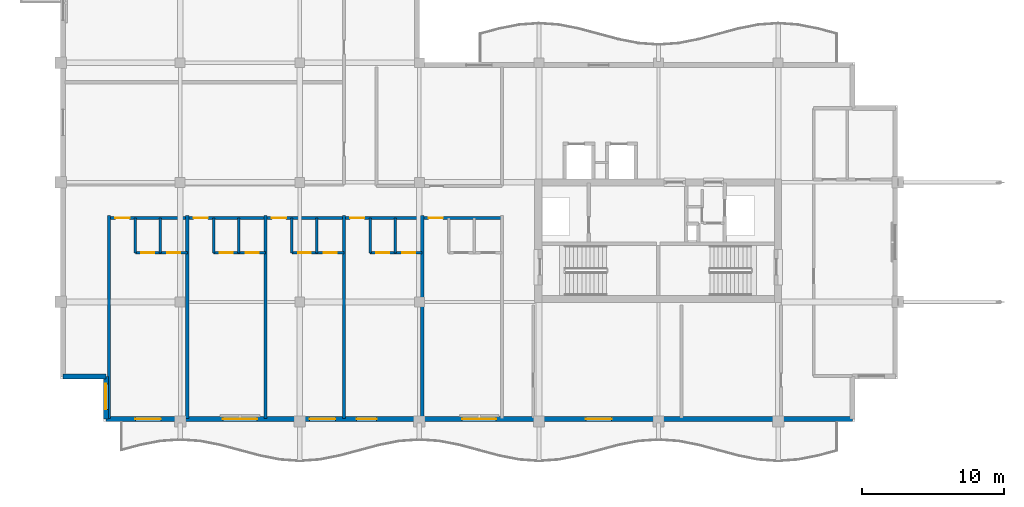
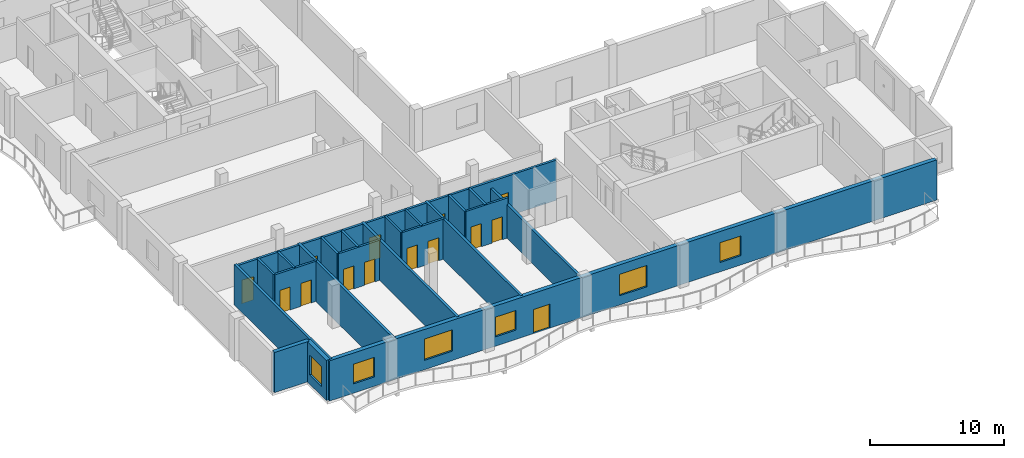
# One storey, part 7 of 17: 21 walls, 14 doors, 6 windows, 20 openings.
"""IFC4 building model written with IfcOpenShell, lengths in metres."""

import ifcopenshell
import ifcopenshell.guid

model = None  # the IFC model being written
_history = None  # IfcOwnerHistory: only IFC2X3 demands one
_inside = {}  # id of a spatial element -> (the spatial element, [elements in it])
_under = {}  # id of a project, library or spatial element -> (it, [spatial elements below it])
_declared = {}  # id of a project -> (the project, [libraries it declares])
_typed = {}  # id of a type object -> (the type object, [elements of that type])
_made_of = {}  # id of a material, layer set ... -> (it, [elements and type objects made of it])


def new_model(schema):
    """Start an empty IFC model of exactly this schema.

    Asked for "IFC4X3", IfcOpenShell would pick the latest addendum, in which some entities
    have other attributes; the version numbers below select the first issue.
    IFC2X3 requires an IfcOwnerHistory on every rooted entity: one is made here for all.
    """
    global model, _history
    if schema == "IFC4X3":
        model = ifcopenshell.file(schema_version=(4, 3, 0, 0))
    else:
        model = ifcopenshell.file(schema=schema)
    _inside.clear()
    _under.clear()
    _declared.clear()
    _typed.clear()
    _made_of.clear()
    _history = None
    if model.schema == "IFC2X3":
        org = make("IfcOrganization", Name="unknown")
        user = make(
            "IfcPersonAndOrganization",
            ThePerson=make("IfcPerson", FamilyName="unknown"),
            TheOrganization=org,
        )
        app = make(
            "IfcApplication",
            ApplicationDeveloper=org,
            Version="unknown",
            ApplicationFullName="unknown",
            ApplicationIdentifier="unknown",
        )
        _history = make(
            "IfcOwnerHistory",
            OwningUser=user,
            OwningApplication=app,
            ChangeAction="ADDED",
            CreationDate=0,
        )
    return model


def make(cls, **values):
    """One entity of the class cls with the attributes given. An attribute that is None is left unset."""
    return model.create_entity(
        cls, **{name: value for name, value in values.items() if value is not None}
    )


def rooted(cls, **values):
    """An entity with a GlobalId (a new one), such as an element, a storey or a relation."""
    return make(cls, GlobalId=ifcopenshell.guid.new(), OwnerHistory=_history, **values)


def si_unit(unit_type, name, prefix=None):
    """IfcSIUnit, for example si_unit("LENGTHUNIT", "METRE", prefix="MILLI")."""
    return make("IfcSIUnit", UnitType=unit_type, Prefix=prefix, Name=name)


def assignment(units):
    """IfcUnitAssignment: the units of a project."""
    return None if units is None else make("IfcUnitAssignment", Units=units)


def point(xyz):
    """IfcCartesianPoint."""
    return None if xyz is None else make("IfcCartesianPoint", Coordinates=xyz)


def direction(xyz):
    """IfcDirection."""
    return None if xyz is None else make("IfcDirection", DirectionRatios=xyz)


def frame(location, z_axis=None, x_axis=None):
    """IfcAxis2Placement3D, a coordinate frame: its origin and axes. An axis left out is left unset."""
    return make(
        "IfcAxis2Placement3D",
        Location=point(location),
        Axis=direction(z_axis),
        RefDirection=direction(x_axis),
    )


def frame_2d(location, x_axis=None):
    """IfcAxis2Placement2D, a coordinate frame in the plane: its origin and x axis."""
    return make(
        "IfcAxis2Placement2D", Location=point(location), RefDirection=direction(x_axis)
    )


def origin():
    """The frame at (0, 0, 0) with its axes left unset."""
    return frame((0.0, 0.0, 0.0))


def place(relative_to, where):
    """IfcLocalPlacement: puts the frame where relative to a parent placement (None: the world)."""
    return make(
        "IfcLocalPlacement", PlacementRelTo=relative_to, RelativePlacement=where
    )


def context(
    kind, dimensions, precision=None, world=None, true_north=None, identifier=None
):
    """IfcGeometricRepresentationContext, for example the 3D "Model" context."""
    return make(
        "IfcGeometricRepresentationContext",
        ContextIdentifier=identifier,
        ContextType=kind,
        CoordinateSpaceDimension=dimensions,
        Precision=precision,
        WorldCoordinateSystem=world,
        TrueNorth=true_north,
    )


def subcontext(parent, identifier, kind, view, scale=None):
    """IfcGeometricRepresentationSubContext, for example "Body" below "Model"."""
    return make(
        "IfcGeometricRepresentationSubContext",
        ContextIdentifier=identifier,
        ContextType=kind,
        ParentContext=parent,
        TargetScale=scale,
        TargetView=view,
    )


def project(units=None, contexts=None):
    """IfcProject with its units and contexts."""
    return rooted(
        "IfcProject",
        Name="project",
        RepresentationContexts=contexts,
        UnitsInContext=assignment(units),
    )


def spatial(cls, under=None, at=None, **own):
    """A site, building, storey or space (cls), placed at a placement, below another one or the project."""
    s = rooted(cls, ObjectPlacement=at, **own)
    if under is not None:
        _under.setdefault(under.id(), (under, []))[1].append(s)
    return s


def profile(cls, at=None, kind="AREA", **sizes):
    """A parametric profile (cls). Its sizes go by their IFC names, for example OverallWidth=200.0."""
    return make(cls, ProfileType=kind, Position=at, **sizes)


def rectangle(**sizes):
    """IfcRectangleProfileDef."""
    return profile("IfcRectangleProfileDef", **sizes)


def extrude(swept, where, along, depth):
    """IfcExtrudedAreaSolid: the profile swept, set in the frame where, extruded along a direction by depth."""
    return make(
        "IfcExtrudedAreaSolid",
        SweptArea=swept,
        Position=where,
        ExtrudedDirection=direction(along),
        Depth=depth,
    )


def shape(context_of_items, identifier, shape_type, items):
    """IfcShapeRepresentation: the items that make up one representation, for example the "Body"."""
    return make(
        "IfcShapeRepresentation",
        ContextOfItems=context_of_items,
        RepresentationIdentifier=identifier,
        RepresentationType=shape_type,
        Items=items,
    )


def material(Name=None, Category=None):
    """IfcMaterial."""
    return make("IfcMaterial", Name=Name, Category=Category)


def layer(
    of_material, thickness, ventilated=None, Name=None, Category=None, Priority=None
):
    """IfcMaterialLayer: one layer of a wall or slab, of a material (None: an air gap)."""
    return make(
        "IfcMaterialLayer",
        Material=of_material,
        LayerThickness=thickness,
        IsVentilated=ventilated,
        Name=Name,
        Category=Category,
        Priority=Priority,
    )


def layer_set(layers, Name=None):
    """IfcMaterialLayerSet."""
    return make("IfcMaterialLayerSet", MaterialLayers=layers, LayerSetName=Name)


def made_of(thing, what):
    """Note that an element or type object is made of a material, layer set ...; save() writes the relation."""
    if what is not None:
        _made_of.setdefault(what.id(), (what, []))[1].append(thing)
    return thing


def type_object(cls, material=None, **own):
    """A type object (cls), such as IfcWallType, which elements share."""
    return made_of(rooted(cls, **own), material)


def element(
    cls,
    number,
    at=None,
    inside=None,
    cuts=None,
    type_object=None,
    material=None,
    context=None,
    identifier="Body",
    shape_type=None,
    held_by="IfcProductDefinitionShape",
    body=None,
    shapes=None,
    **own,
):
    """One element of the class cls, such as IfcWall. Its Tag is "e" and its number.

    at: its placement. inside: the storey or other place that contains it. cuts: it is an
    opening in that element (IfcRelVoidsElement). A single representation is given by context,
    identifier, shape_type and body (its items); several are given by shapes. held_by: the class
    of the entity that holds the representations. save() writes the other relations.
    """
    e = rooted(cls, Tag="e%d" % number, ObjectPlacement=at, **own)
    if body is not None:
        shapes = [shape(context, identifier, shape_type, body)]
    if shapes is not None:
        e.Representation = make(held_by, Representations=shapes)
    if inside is not None:
        _inside.setdefault(inside.id(), (inside, []))[1].append(e)
    if cuts is not None:
        rooted(
            "IfcRelVoidsElement", RelatingBuildingElement=cuts, RelatedOpeningElement=e
        )
    if type_object is not None:
        _typed.setdefault(type_object.id(), (type_object, []))[1].append(e)
    return made_of(e, material)


def fill(opening, filler):
    """IfcRelFillsElement: the door or window that sits in an opening."""
    return rooted(
        "IfcRelFillsElement",
        RelatingOpeningElement=opening,
        RelatedBuildingElement=filler,
    )


def aggregate(whole, parts):
    """IfcRelAggregates: a whole, such as a stair, and the parts it consists of."""
    return rooted("IfcRelAggregates", RelatingObject=whole, RelatedObjects=parts)


def save(model, path):
    """Write the relations noted so far, then the file.

    IfcRelAggregates (storeys below a building ...), IfcRelContainedInSpatialStructure (elements
    in a storey), IfcRelDefinesByType, IfcRelAssociatesMaterial and IfcRelDeclares: one each for
    every whole, place, type object, material and project.
    """
    for whole, parts in _under.values():
        aggregate(whole, parts)
    for where, things in _inside.values():
        rooted(
            "IfcRelContainedInSpatialStructure",
            RelatedElements=things,
            RelatingStructure=where,
        )
    for kind, things in _typed.values():
        rooted("IfcRelDefinesByType", RelatedObjects=things, RelatingType=kind)
    for what, things in _made_of.values():
        rooted("IfcRelAssociatesMaterial", RelatedObjects=things, RelatingMaterial=what)
    for by, libraries in _declared.values():
        rooted("IfcRelDeclares", RelatingContext=by, RelatedDefinitions=libraries)
    model.write(path)


model = new_model("IFC4")

# Units and contexts
model_context = context("Model", 3, precision=1e-05, world=origin(), true_north=direction((0.0, 1.0)))
body_context = subcontext(model_context, "Body", "Model", "MODEL_VIEW")
ifc_project = project(units=[si_unit("LENGTHUNIT", "METRE"), si_unit("AREAUNIT", "SQUARE_METRE"), si_unit("VOLUMEUNIT", "CUBIC_METRE"), si_unit("PLANEANGLEUNIT", "RADIAN"), si_unit("MASSUNIT", "GRAM", prefix="KILO")], contexts=[model_context])

# Site, building, storey
site_placement = place(None, origin())
site = spatial("IfcSite", under=ifc_project, at=site_placement, CompositionType="ELEMENT")
building_placement = place(site_placement, origin())
building = spatial("IfcBuilding", under=site, at=building_placement, Name="Koriwani Terraces Tower", CompositionType="ELEMENT")
storey_placement = place(building_placement, frame((0.0, 0.0, 347.60009765625)))
storey = spatial("IfcBuildingStorey", under=building, at=storey_placement, Name="L86", CompositionType="ELEMENT", Elevation=347.60009765625)

# Wall, openings, doors
ifc_material_1 = material(Name="Autoclaved Cellular Concrete Blockwork", Category="masonry")
ifc_layer_1 = layer(ifc_material_1, 0.199951171875, Name="Autoclaved Cellular Concrete Blockwork")
ifc_layer_set_1 = layer_set([ifc_layer_1], Name="Autoclaved Cellular Concrete Blockwork")
wall_type_1 = type_object("IfcWallType", Name="WALL_CORRIDOR_200", PredefinedType="PARTITIONING", material=ifc_layer_set_1)
wall_1_placement = place(storey_placement, frame((11.800048828125, 22.699951171875, 0.0), z_axis=(0.0, 0.0, 1.0), x_axis=(1.0, 0.0, 0.0)))
wall_1 = element("IfcWall", 1, at=wall_1_placement, inside=storey, type_object=wall_type_1, Name="L86 Interior Wall WRCOR-L86-SW-0", PredefinedType="PARTITIONING", context=body_context, shape_type="SweptSolid", body=[
    extrude(rectangle(XDim=27.599853515625, YDim=0.199951171875, at=frame_2d((13.7998046875, 0.0))), origin(), (0.0, 0.0, 1.0), 3.669921875),
])
opening_1_placement = place(wall_1_placement, frame((0.445068359375, 0.0, 0.0)))
opening_1 = element("IfcOpeningElement", 2, at=opening_1_placement, cuts=wall_1, Name="Opening D-05", PredefinedType="OPENING", context=body_context, shape_type="SweptSolid", body=[
    extrude(rectangle(XDim=1.0, YDim=2.14990234375, at=frame_2d((0.5, 1.074951171875))), frame((0.0, 0.10986328125, 0.0), z_axis=(0.0, -1.0, 0.0), x_axis=(1.0, 0.0, 0.0)), (0.0, 0.0, 1.0), 0.219970703125),
])
opening_2_placement = place(wall_1_placement, frame((5.945068359375, 0.0, 0.0)))
opening_2 = element("IfcOpeningElement", 3, at=opening_2_placement, cuts=wall_1, Name="Opening D-05", PredefinedType="OPENING", context=body_context, shape_type="SweptSolid", body=[
    extrude(rectangle(XDim=1.0, YDim=2.14990234375, at=frame_2d((0.5, 1.074951171875))), frame((0.0, 0.10986328125, 0.0), z_axis=(0.0, -1.0, 0.0), x_axis=(1.0, 0.0, 0.0)), (0.0, 0.0, 1.0), 0.219970703125),
])
opening_3_placement = place(wall_1_placement, frame((11.445068359375, 0.0, 0.0)))
opening_3 = element("IfcOpeningElement", 4, at=opening_3_placement, cuts=wall_1, Name="Opening D-05", PredefinedType="OPENING", context=body_context, shape_type="SweptSolid", body=[
    extrude(rectangle(XDim=1.0, YDim=2.14990234375, at=frame_2d((0.5, 1.074951171875))), frame((0.0, 0.10986328125, 0.0), z_axis=(0.0, -1.0, 0.0), x_axis=(1.0, 0.0, 0.0)), (0.0, 0.0, 1.0), 0.219970703125),
])
opening_4_placement = place(wall_1_placement, frame((16.945068359375, 0.0, 0.0)))
opening_4 = element("IfcOpeningElement", 5, at=opening_4_placement, cuts=wall_1, Name="Opening D-05", PredefinedType="OPENING", context=body_context, shape_type="SweptSolid", body=[
    extrude(rectangle(XDim=1.0, YDim=2.14990234375, at=frame_2d((0.5, 1.074951171875))), frame((0.0, 0.10986328125, 0.0), z_axis=(0.0, -1.0, 0.0), x_axis=(1.0, 0.0, 0.0)), (0.0, 0.0, 1.0), 0.219970703125),
])
opening_5_placement = place(wall_1_placement, frame((22.445068359375, 0.0, 0.0)))
opening_5 = element("IfcOpeningElement", 6, at=opening_5_placement, cuts=wall_1, Name="Opening D-05", PredefinedType="OPENING", context=body_context, shape_type="SweptSolid", body=[
    extrude(rectangle(XDim=1.0, YDim=2.14990234375, at=frame_2d((0.5, 1.074951171875))), frame((0.0, 0.10986328125, 0.0), z_axis=(0.0, -1.0, 0.0), x_axis=(1.0, 0.0, 0.0)), (0.0, 0.0, 1.0), 0.219970703125),
])
ifc_material_2 = material(Name="Architectural Oak Fire Door", Category="wood")
door_type_1 = type_object("IfcDoorType", Name="DOOR_SUITE_ENTRY_1000X2150", OperationType="NOTDEFINED", PredefinedType="DOOR", material=ifc_material_2)
door_1_placement = place(opening_1_placement, origin())
door_1 = element("IfcDoor", 7, at=door_1_placement, inside=storey, type_object=door_type_1, Name="Apartment 86SW1 Entrance Door", OperationType="SINGLE_SWING_LEFT", OverallHeight=2.14990234375, OverallWidth=1.0, PredefinedType="DOOR", context=body_context, shape_type="SweptSolid", body=[
    extrude(rectangle(XDim=1.0, YDim=2.14990234375, at=frame_2d((0.5, 1.074951171875))), frame((0.0, 0.02490234375, 0.0), z_axis=(0.0, -1.0, 0.0), x_axis=(1.0, 0.0, 0.0)), (0.0, 0.0, 1.0), 0.050048828125),
])
fill(opening_1, door_1)
door_2_placement = place(opening_2_placement, origin())
door_2 = element("IfcDoor", 8, at=door_2_placement, inside=storey, type_object=door_type_1, Name="Apartment 86SW2 Entrance Door", OperationType="SINGLE_SWING_RIGHT", OverallHeight=2.14990234375, OverallWidth=1.0, PredefinedType="DOOR", context=body_context, shape_type="SweptSolid", body=[
    extrude(rectangle(XDim=1.0, YDim=2.14990234375, at=frame_2d((0.5, 1.074951171875))), frame((0.0, 0.02490234375, 0.0), z_axis=(0.0, -1.0, 0.0), x_axis=(1.0, 0.0, 0.0)), (0.0, 0.0, 1.0), 0.050048828125),
])
fill(opening_2, door_2)
door_3_placement = place(opening_3_placement, origin())
door_3 = element("IfcDoor", 9, at=door_3_placement, inside=storey, type_object=door_type_1, Name="Apartment 86SW3 Entrance Door", OperationType="SINGLE_SWING_LEFT", OverallHeight=2.14990234375, OverallWidth=1.0, PredefinedType="DOOR", context=body_context, shape_type="SweptSolid", body=[
    extrude(rectangle(XDim=1.0, YDim=2.14990234375, at=frame_2d((0.5, 1.074951171875))), frame((0.0, 0.02490234375, 0.0), z_axis=(0.0, -1.0, 0.0), x_axis=(1.0, 0.0, 0.0)), (0.0, 0.0, 1.0), 0.050048828125),
])
fill(opening_3, door_3)
door_4_placement = place(opening_4_placement, origin())
door_4 = element("IfcDoor", 10, at=door_4_placement, inside=storey, type_object=door_type_1, Name="Apartment 86SW4 Entrance Door", OperationType="SINGLE_SWING_RIGHT", OverallHeight=2.14990234375, OverallWidth=1.0, PredefinedType="DOOR", context=body_context, shape_type="SweptSolid", body=[
    extrude(rectangle(XDim=1.0, YDim=2.14990234375, at=frame_2d((0.5, 1.074951171875))), frame((0.0, 0.02490234375, 0.0), z_axis=(0.0, -1.0, 0.0), x_axis=(1.0, 0.0, 0.0)), (0.0, 0.0, 1.0), 0.050048828125),
])
fill(opening_4, door_4)
door_5_placement = place(opening_5_placement, origin())
door_5 = element("IfcDoor", 11, at=door_5_placement, inside=storey, type_object=door_type_1, Name="Apartment 86SW5 Entrance Door", OperationType="SINGLE_SWING_LEFT", OverallHeight=2.14990234375, OverallWidth=1.0, PredefinedType="DOOR", context=body_context, shape_type="SweptSolid", body=[
    extrude(rectangle(XDim=1.0, YDim=2.14990234375, at=frame_2d((0.5, 1.074951171875))), frame((0.0, 0.02490234375, 0.0), z_axis=(0.0, -1.0, 0.0), x_axis=(1.0, 0.0, 0.0)), (0.0, 0.0, 1.0), 0.050048828125),
])
fill(opening_5, door_5)

# Walls
ifc_layer_2 = layer(ifc_material_1, 0.219970703125, Name="Autoclaved Cellular Concrete Blockwork")
ifc_layer_set_2 = layer_set([ifc_layer_2], Name="Autoclaved Cellular Concrete Blockwork")
wall_type_2 = type_object("IfcWallType", Name="WALL_DEMISING_220", PredefinedType="PARTITIONING", material=ifc_layer_set_2)
for number, where, z_axis, x_axis, name in (
    (12, (11.800048828125, 8.60009765625, 0.0), (0.0, 0.0, 1.0), (0.0, 1.0, 0.0), "L86 Interior Wall WRDEM-L86-SW-0"),
    (13, (17.300048828125, 8.60009765625, 0.0), (0.0, 0.0, 1.0), (0.0, 1.0, 0.0), "L86 Interior Wall WRDEM-L86-SW-1"),
    (14, (22.800048828125, 8.60009765625, 0.0), (0.0, 0.0, 1.0), (0.0, 1.0, 0.0), "L86 Interior Wall WRDEM-L86-SW-2"),
    (15, (28.300048828125, 8.60009765625, 0.0), (0.0, 0.0, 1.0), (0.0, 1.0, 0.0), "L86 Interior Wall WRDEM-L86-SW-3"),
):
    element("IfcWall", number, at=place(storey_placement, frame(where, z_axis=z_axis, x_axis=x_axis)), inside=storey, type_object=wall_type_2, Name=name, PredefinedType="PARTITIONING", context=body_context, shape_type="SweptSolid", body=[
        extrude(rectangle(XDim=14.27978515625, YDim=0.219970703125, at=frame_2d((7.139892578125, 0.0))), origin(), (0.0, 0.0, 1.0), 3.669921875),
    ])
wall_2_placement = place(storey_placement, frame((33.800048828125, 8.60009765625, 0.0), z_axis=(0.0, 0.0, 1.0), x_axis=(0.0, 1.0, 0.0)))
element("IfcWall", 16, at=wall_2_placement, inside=storey, type_object=wall_type_2, Name="L86 Interior Wall WRDEM-L86-SW-4", PredefinedType="PARTITIONING", context=body_context, shape_type="SweptSolid", body=[
    extrude(rectangle(XDim=14.27978515625, YDim=0.219970703125, at=frame_2d((7.139892578125, 0.0))), origin(), (0.0, 0.0, 1.0), 3.058837890625),
])

# Wall, opening, window
ifc_material_3 = material(Name="Concrete C50/60", Category="concrete")
ifc_layer_3 = layer(ifc_material_3, 0.35009765625, Name="Concrete C50/60")
ifc_layer_set_3 = layer_set([ifc_layer_3], Name="Concrete C50/60")
wall_type_3 = type_object("IfcWallType", Name="WALL_EXT_BRUTALIST_350", PredefinedType="STANDARD", material=ifc_layer_set_3)
wall_3_placement = place(storey_placement, frame((11.574951171875, 8.574951171875, 0.0), z_axis=(0.0, 0.0, 1.0), x_axis=(0.0, 1.0, 0.0)))
wall_3 = element("IfcWall", 17, at=wall_3_placement, inside=storey, type_object=wall_type_3, Name="L86 Fair-Faced Brutalist Exterior Wall (N0)", PredefinedType="STANDARD", context=body_context, shape_type="SweptSolid", body=[
    extrude(rectangle(XDim=3.0, YDim=0.35009765625, at=frame_2d((1.5, 0.0))), origin(), (0.0, 0.0, 1.0), 3.669921875),
])
opening_6_placement = place(wall_3_placement, frame((0.677490234375, 0.0, 0.85009765625)))
opening_6 = element("IfcOpeningElement", 18, at=opening_6_placement, cuts=wall_3, Name="Opening W-04", PredefinedType="OPENING", context=body_context, shape_type="SweptSolid", body=[
    extrude(rectangle(XDim=1.800048828125, YDim=1.800048828125, at=frame_2d((0.89990234375, 0.89990234375))), frame((0.0, 0.18505859375, 0.0), z_axis=(0.0, -1.0, 0.0), x_axis=(1.0, 0.0, 0.0)), (0.0, 0.0, 1.0), 0.3701171875),
])
ifc_material_4 = material(Name="Tempered Laminated Low-E Glass", Category="glass")
window_type_1 = type_object("IfcWindowType", Name="WIN_RES_BED_1800X1800", PartitioningType="DOUBLE_PANEL_VERTICAL", PredefinedType="WINDOW", material=ifc_material_4)
window_1_placement = place(opening_6_placement, origin())
window_1 = element("IfcWindow", 19, at=window_1_placement, inside=storey, type_object=window_type_1, Name="L86 Exterior Window (N0-R33)", OverallHeight=1.800048828125, OverallWidth=1.800048828125, PartitioningType="SINGLE_PANEL", PredefinedType="WINDOW", context=body_context, shape_type="SweptSolid", body=[
    extrude(rectangle(XDim=1.800048828125, YDim=1.800048828125, at=frame_2d((0.89990234375, 0.89990234375))), frame((0.0, 0.030029296875, 0.0), z_axis=(0.0, -1.0, 0.0), x_axis=(1.0, 0.0, 0.0)), (0.0, 0.0, 1.0), 0.06005859375),
])
fill(opening_6, window_1)

# Wall
wall_4_placement = place(storey_placement, frame((11.574951171875, 11.574951171875, 0.0), z_axis=(0.0, 0.0, 1.0), x_axis=(-1.0, 0.0, 0.0)))
element("IfcWall", 20, at=wall_4_placement, inside=storey, type_object=wall_type_3, Name="L86 Fair-Faced Brutalist Exterior Wall (N1)", PredefinedType="STANDARD", context=body_context, shape_type="SweptSolid", body=[
    extrude(rectangle(XDim=3.0, YDim=0.35009765625, at=frame_2d((1.5, 0.0))), origin(), (0.0, 0.0, 1.0), 3.669921875),
])

# Wall, openings, door, windows
wall_5_placement = place(storey_placement, frame((64.02490234375, 8.574951171875, 0.0), z_axis=(0.0, 0.0, 1.0), x_axis=(-1.0, 0.0, 0.0)))
wall_5 = element("IfcWall", 21, at=wall_5_placement, inside=storey, type_object=wall_type_3, Name="L86 Fair-Faced Brutalist Exterior Wall (S)", PredefinedType="STANDARD", context=body_context, shape_type="SweptSolid", body=[
    extrude(rectangle(XDim=52.449951171875, YDim=0.35009765625, at=frame_2d((26.22509765625, 0.0))), origin(), (0.0, 0.0, 1.0), 3.669921875),
])
opening_7_placement = place(wall_5_placement, frame((33.425048828125, 0.0, 0.0)))
opening_7 = element("IfcOpeningElement", 22, at=opening_7_placement, cuts=wall_5, Name="Opening D-09", PredefinedType="OPENING", context=body_context, shape_type="SweptSolid", body=[
    extrude(rectangle(XDim=1.39990234375, YDim=2.199951171875, at=frame_2d((0.699951171875, 1.10009765625))), frame((0.0, 0.18505859375, 0.0), z_axis=(0.0, -1.0, 0.0), x_axis=(1.0, 0.0, 0.0)), (0.0, 0.0, 1.0), 0.3701171875),
])
opening_8_placement = place(wall_5_placement, frame((41.824951171875, 0.0, 0.85009765625)))
opening_8 = element("IfcOpeningElement", 23, at=opening_8_placement, cuts=wall_5, Name="Opening W-03", PredefinedType="OPENING", context=body_context, shape_type="SweptSolid", body=[
    extrude(rectangle(XDim=2.39990234375, YDim=1.949951171875, at=frame_2d((1.199951171875, 0.97509765625))), frame((0.0, 0.18505859375, 0.0), z_axis=(0.0, -1.0, 0.0), x_axis=(1.0, 0.0, 0.0)), (0.0, 0.0, 1.0), 0.3701171875),
])
opening_9_placement = place(wall_5_placement, frame((25.02490234375, 0.0, 0.85009765625)))
opening_9 = element("IfcOpeningElement", 24, at=opening_9_placement, cuts=wall_5, Name="Opening W-03", PredefinedType="OPENING", context=body_context, shape_type="SweptSolid", body=[
    extrude(rectangle(XDim=2.39990234375, YDim=1.949951171875, at=frame_2d((1.199951171875, 0.97509765625))), frame((0.0, 0.18505859375, 0.0), z_axis=(0.0, -1.0, 0.0), x_axis=(1.0, 0.0, 0.0)), (0.0, 0.0, 1.0), 0.3701171875),
])
opening_10_placement = place(wall_5_placement, frame((16.925048828125, 0.0, 0.85009765625)))
opening_10 = element("IfcOpeningElement", 25, at=opening_10_placement, cuts=wall_5, Name="Opening W-04", PredefinedType="OPENING", context=body_context, shape_type="SweptSolid", body=[
    extrude(rectangle(XDim=1.800048828125, YDim=1.800048828125, at=frame_2d((0.89990234375, 0.89990234375))), frame((0.0, 0.18505859375, 0.0), z_axis=(0.0, -1.0, 0.0), x_axis=(1.0, 0.0, 0.0)), (0.0, 0.0, 1.0), 0.3701171875),
])
opening_11_placement = place(wall_5_placement, frame((48.574951171875, 0.0, 0.85009765625)))
opening_11 = element("IfcOpeningElement", 26, at=opening_11_placement, cuts=wall_5, Name="Opening W-04", PredefinedType="OPENING", context=body_context, shape_type="SweptSolid", body=[
    extrude(rectangle(XDim=1.800048828125, YDim=1.800048828125, at=frame_2d((0.89990234375, 0.89990234375))), frame((0.0, 0.18505859375, 0.0), z_axis=(0.0, -1.0, 0.0), x_axis=(1.0, 0.0, 0.0)), (0.0, 0.0, 1.0), 0.3701171875),
])
opening_12_placement = place(wall_5_placement, frame((36.324951171875, 0.0, 0.85009765625)))
opening_12 = element("IfcOpeningElement", 27, at=opening_12_placement, cuts=wall_5, Name="Opening W-04", PredefinedType="OPENING", context=body_context, shape_type="SweptSolid", body=[
    extrude(rectangle(XDim=1.800048828125, YDim=1.800048828125, at=frame_2d((0.89990234375, 0.89990234375))), frame((0.0, 0.18505859375, 0.0), z_axis=(0.0, -1.0, 0.0), x_axis=(1.0, 0.0, 0.0)), (0.0, 0.0, 1.0), 0.3701171875),
])
ifc_material_5 = material(Name="Anodised Bronze Aluminium", Category="aluminium")
door_type_2 = type_object("IfcDoorType", Name="DOOR_BALCONY_GLAZED_1400X2200", OperationType="NOTDEFINED", PredefinedType="DOOR", material=ifc_material_5)
door_6_placement = place(opening_7_placement, origin())
door_6 = element("IfcDoor", 28, at=door_6_placement, inside=storey, type_object=door_type_2, Name="L86 South Balcony Glazed Door", OperationType="SINGLE_SWING_LEFT", OverallHeight=2.199951171875, OverallWidth=1.39990234375, PredefinedType="DOOR", context=body_context, shape_type="SweptSolid", body=[
    extrude(rectangle(XDim=1.39990234375, YDim=2.199951171875, at=frame_2d((0.699951171875, 1.10009765625))), frame((0.0, 0.02490234375, 0.0), z_axis=(0.0, -1.0, 0.0), x_axis=(1.0, 0.0, 0.0)), (0.0, 0.0, 1.0), 0.050048828125),
])
fill(opening_7, door_6)
window_2_placement = place(opening_10_placement, origin())
window_2 = element("IfcWindow", 29, at=window_2_placement, inside=storey, type_object=window_type_1, Name="L86 Exterior Window (S-12)", OverallHeight=1.800048828125, OverallWidth=1.800048828125, PartitioningType="SINGLE_PANEL", PredefinedType="WINDOW", context=body_context, shape_type="SweptSolid", body=[
    extrude(rectangle(XDim=1.800048828125, YDim=1.800048828125, at=frame_2d((0.89990234375, 0.89990234375))), frame((0.0, 0.030029296875, 0.0), z_axis=(0.0, -1.0, 0.0), x_axis=(1.0, 0.0, 0.0)), (0.0, 0.0, 1.0), 0.06005859375),
])
fill(opening_10, window_2)
window_3_placement = place(opening_11_placement, origin())
window_3 = element("IfcWindow", 30, at=window_3_placement, inside=storey, type_object=window_type_1, Name="L86 Exterior Window (S-R33)", OverallHeight=1.800048828125, OverallWidth=1.800048828125, PartitioningType="SINGLE_PANEL", PredefinedType="WINDOW", context=body_context, shape_type="SweptSolid", body=[
    extrude(rectangle(XDim=1.800048828125, YDim=1.800048828125, at=frame_2d((0.89990234375, 0.89990234375))), frame((0.0, 0.030029296875, 0.0), z_axis=(0.0, -1.0, 0.0), x_axis=(1.0, 0.0, 0.0)), (0.0, 0.0, 1.0), 0.06005859375),
])
fill(opening_11, window_3)
window_4_placement = place(opening_12_placement, origin())
window_4 = element("IfcWindow", 31, at=window_4_placement, inside=storey, type_object=window_type_1, Name="L86 Exterior Window (S-R39)", OverallHeight=1.800048828125, OverallWidth=1.800048828125, PartitioningType="SINGLE_PANEL", PredefinedType="WINDOW", context=body_context, shape_type="SweptSolid", body=[
    extrude(rectangle(XDim=1.800048828125, YDim=1.800048828125, at=frame_2d((0.89990234375, 0.89990234375))), frame((0.0, 0.030029296875, 0.0), z_axis=(0.0, -1.0, 0.0), x_axis=(1.0, 0.0, 0.0)), (0.0, 0.0, 1.0), 0.06005859375),
])
fill(opening_12, window_4)
window_type_2 = type_object("IfcWindowType", Name="WIN_RES_LIVING_2400X1950", PartitioningType="DOUBLE_PANEL_VERTICAL", PredefinedType="WINDOW", material=ifc_material_4)
window_5_placement = place(opening_8_placement, origin())
window_5 = element("IfcWindow", 32, at=window_5_placement, inside=storey, type_object=window_type_2, Name="L86 Exterior Window (S-3)", OverallHeight=1.949951171875, OverallWidth=2.39990234375, PartitioningType="SINGLE_PANEL", PredefinedType="WINDOW", context=body_context, shape_type="SweptSolid", body=[
    extrude(rectangle(XDim=2.39990234375, YDim=1.949951171875, at=frame_2d((1.199951171875, 0.97509765625))), frame((0.0, 0.030029296875, 0.0), z_axis=(0.0, -1.0, 0.0), x_axis=(1.0, 0.0, 0.0)), (0.0, 0.0, 1.0), 0.06005859375),
])
fill(opening_8, window_5)
window_6_placement = place(opening_9_placement, origin())
window_6 = element("IfcWindow", 33, at=window_6_placement, inside=storey, type_object=window_type_2, Name="L86 Exterior Window (S-9)", OverallHeight=1.949951171875, OverallWidth=2.39990234375, PartitioningType="SINGLE_PANEL", PredefinedType="WINDOW", context=body_context, shape_type="SweptSolid", body=[
    extrude(rectangle(XDim=2.39990234375, YDim=1.949951171875, at=frame_2d((1.199951171875, 0.97509765625))), frame((0.0, 0.030029296875, 0.0), z_axis=(0.0, -1.0, 0.0), x_axis=(1.0, 0.0, 0.0)), (0.0, 0.0, 1.0), 0.06005859375),
])
fill(opening_9, window_6)

# Wall, openings, doors
ifc_material_6 = material(Name="Fire-Rated Acoustic Gypsum Partition", Category="masonry")
ifc_layer_4 = layer(ifc_material_6, 0.179931640625, Name="Fire-Rated Acoustic Gypsum Partition")
ifc_layer_set_4 = layer_set([ifc_layer_4], Name="Fire-Rated Acoustic Gypsum Partition")
wall_type_4 = type_object("IfcWallType", Name="WALL_PLUMBING_180", PredefinedType="PLUMBINGWALL", material=ifc_layer_set_4)
wall_6_placement = place(storey_placement, frame((13.64990234375, 20.25, 0.0), z_axis=(0.0, 0.0, 1.0), x_axis=(1.0, 0.0, 0.0)))
wall_6 = element("IfcWall", 34, at=wall_6_placement, inside=storey, type_object=wall_type_4, Name="L86 Interior Wall WRSVC-L86-SW-0", PredefinedType="PLUMBINGWALL", context=body_context, shape_type="SweptSolid", body=[
    extrude(rectangle(XDim=3.650146484375, YDim=0.179931640625, at=frame_2d((1.8251953125, 0.0))), origin(), (0.0, 0.0, 1.0), 3.669921875),
])
opening_13_placement = place(wall_6_placement, frame((0.426025390625, 0.0, 0.0)))
opening_13 = element("IfcOpeningElement", 35, at=opening_13_placement, cuts=wall_6, Name="Opening D-07", PredefinedType="OPENING", context=body_context, shape_type="SweptSolid", body=[
    extrude(rectangle(XDim=0.89990234375, YDim=2.10009765625, at=frame_2d((0.449951171875, 1.050048828125))), frame((0.0, 0.10009765625, 0.0), z_axis=(0.0, -1.0, 0.0), x_axis=(1.0, 0.0, 0.0)), (0.0, 0.0, 1.0), 0.199951171875),
])
opening_14_placement = place(wall_6_placement, frame((2.240966796875, 0.0, 0.0)))
opening_14 = element("IfcOpeningElement", 36, at=opening_14_placement, cuts=wall_6, Name="Opening D-06", PredefinedType="OPENING", context=body_context, shape_type="SweptSolid", body=[
    extrude(rectangle(XDim=0.919921875, YDim=2.10009765625, at=frame_2d((0.4599609375, 1.050048828125))), frame((0.0, 0.10009765625, 0.0), z_axis=(0.0, -1.0, 0.0), x_axis=(1.0, 0.0, 0.0)), (0.0, 0.0, 1.0), 0.199951171875),
])
door_type_3 = type_object("IfcDoorType", Name="DOOR_BATH_INT_900X2100", OperationType="NOTDEFINED", PredefinedType="DOOR", material=ifc_material_2)
door_7_placement = place(opening_13_placement, origin())
door_7 = element("IfcDoor", 37, at=door_7_placement, inside=storey, type_object=door_type_3, Name="Apartment 86SW1 Bathroom Door", OperationType="SINGLE_SWING_RIGHT", OverallHeight=2.10009765625, OverallWidth=0.89990234375, PredefinedType="DOOR", context=body_context, shape_type="SweptSolid", body=[
    extrude(rectangle(XDim=0.89990234375, YDim=2.10009765625, at=frame_2d((0.449951171875, 1.050048828125))), frame((0.0, 0.02490234375, 0.0), z_axis=(0.0, -1.0, 0.0), x_axis=(1.0, 0.0, 0.0)), (0.0, 0.0, 1.0), 0.050048828125),
])
fill(opening_13, door_7)
door_type_4 = type_object("IfcDoorType", Name="DOOR_ROOM_INT_920X2100", OperationType="NOTDEFINED", PredefinedType="DOOR", material=ifc_material_2)
door_8_placement = place(opening_14_placement, origin())
door_8 = element("IfcDoor", 38, at=door_8_placement, inside=storey, type_object=door_type_4, Name="Apartment 86SW1 Kitchen Door", OperationType="SINGLE_SWING_LEFT", OverallHeight=2.10009765625, OverallWidth=0.919921875, PredefinedType="DOOR", context=body_context, shape_type="SweptSolid", body=[
    extrude(rectangle(XDim=0.919921875, YDim=2.10009765625, at=frame_2d((0.4599609375, 1.050048828125))), frame((0.0, 0.02490234375, 0.0), z_axis=(0.0, -1.0, 0.0), x_axis=(1.0, 0.0, 0.0)), (0.0, 0.0, 1.0), 0.050048828125),
])
fill(opening_14, door_8)

# Walls
for number, where, z_axis, x_axis, name in (
    (39, (13.64990234375, 20.25, 0.0), (0.0, 0.0, 1.0), (0.0, 1.0, 0.0), "L86 Interior Wall WRSVCS-L86-SW-0"),
    (40, (15.402099609375, 20.25, 0.0), (0.0, 0.0, 1.0), (0.0, 1.0, 0.0), "L86 Interior Wall WRSVCM-L86-SW-0"),
):
    element("IfcWall", number, at=place(storey_placement, frame(where, z_axis=z_axis, x_axis=x_axis)), inside=storey, type_object=wall_type_4, Name=name, PredefinedType="PLUMBINGWALL", context=body_context, shape_type="SweptSolid", body=[
        extrude(rectangle(XDim=2.449951171875, YDim=0.179931640625, at=frame_2d((1.22509765625, 0.0))), origin(), (0.0, 0.0, 1.0), 3.669921875),
    ])

# Wall, openings, doors
wall_7_placement = place(storey_placement, frame((19.14990234375, 20.25, 0.0), z_axis=(0.0, 0.0, 1.0), x_axis=(1.0, 0.0, 0.0)))
wall_7 = element("IfcWall", 41, at=wall_7_placement, inside=storey, type_object=wall_type_4, Name="L86 Interior Wall WRSVC-L86-SW-1", PredefinedType="PLUMBINGWALL", context=body_context, shape_type="SweptSolid", body=[
    extrude(rectangle(XDim=3.650146484375, YDim=0.179931640625, at=frame_2d((1.8251953125, 0.0))), origin(), (0.0, 0.0, 1.0), 3.669921875),
])
opening_15_placement = place(wall_7_placement, frame((0.426025390625, 0.0, 0.0)))
opening_15 = element("IfcOpeningElement", 42, at=opening_15_placement, cuts=wall_7, Name="Opening D-07", PredefinedType="OPENING", context=body_context, shape_type="SweptSolid", body=[
    extrude(rectangle(XDim=0.89990234375, YDim=2.10009765625, at=frame_2d((0.449951171875, 1.050048828125))), frame((0.0, 0.10009765625, 0.0), z_axis=(0.0, -1.0, 0.0), x_axis=(1.0, 0.0, 0.0)), (0.0, 0.0, 1.0), 0.199951171875),
])
opening_16_placement = place(wall_7_placement, frame((2.240966796875, 0.0, 0.0)))
opening_16 = element("IfcOpeningElement", 43, at=opening_16_placement, cuts=wall_7, Name="Opening D-06", PredefinedType="OPENING", context=body_context, shape_type="SweptSolid", body=[
    extrude(rectangle(XDim=0.919921875, YDim=2.10009765625, at=frame_2d((0.4599609375, 1.050048828125))), frame((0.0, 0.10009765625, 0.0), z_axis=(0.0, -1.0, 0.0), x_axis=(1.0, 0.0, 0.0)), (0.0, 0.0, 1.0), 0.199951171875),
])
door_9_placement = place(opening_15_placement, origin())
door_9 = element("IfcDoor", 44, at=door_9_placement, inside=storey, type_object=door_type_3, Name="Apartment 86SW2 Bathroom Door", OperationType="SINGLE_SWING_LEFT", OverallHeight=2.10009765625, OverallWidth=0.89990234375, PredefinedType="DOOR", context=body_context, shape_type="SweptSolid", body=[
    extrude(rectangle(XDim=0.89990234375, YDim=2.10009765625, at=frame_2d((0.449951171875, 1.050048828125))), frame((0.0, 0.02490234375, 0.0), z_axis=(0.0, -1.0, 0.0), x_axis=(1.0, 0.0, 0.0)), (0.0, 0.0, 1.0), 0.050048828125),
])
fill(opening_15, door_9)
door_10_placement = place(opening_16_placement, origin())
door_10 = element("IfcDoor", 45, at=door_10_placement, inside=storey, type_object=door_type_4, Name="Apartment 86SW2 Kitchen Door", OperationType="SINGLE_SWING_RIGHT", OverallHeight=2.10009765625, OverallWidth=0.919921875, PredefinedType="DOOR", context=body_context, shape_type="SweptSolid", body=[
    extrude(rectangle(XDim=0.919921875, YDim=2.10009765625, at=frame_2d((0.4599609375, 1.050048828125))), frame((0.0, 0.02490234375, 0.0), z_axis=(0.0, -1.0, 0.0), x_axis=(1.0, 0.0, 0.0)), (0.0, 0.0, 1.0), 0.050048828125),
])
fill(opening_16, door_10)

# Walls
for number, where, z_axis, x_axis, name in (
    (46, (19.14990234375, 20.25, 0.0), (0.0, 0.0, 1.0), (0.0, 1.0, 0.0), "L86 Interior Wall WRSVCS-L86-SW-1"),
    (47, (20.902099609375, 20.25, 0.0), (0.0, 0.0, 1.0), (0.0, 1.0, 0.0), "L86 Interior Wall WRSVCM-L86-SW-1"),
):
    element("IfcWall", number, at=place(storey_placement, frame(where, z_axis=z_axis, x_axis=x_axis)), inside=storey, type_object=wall_type_4, Name=name, PredefinedType="PLUMBINGWALL", context=body_context, shape_type="SweptSolid", body=[
        extrude(rectangle(XDim=2.449951171875, YDim=0.179931640625, at=frame_2d((1.22509765625, 0.0))), origin(), (0.0, 0.0, 1.0), 3.669921875),
    ])

# Wall, openings, doors
wall_8_placement = place(storey_placement, frame((24.64990234375, 20.25, 0.0), z_axis=(0.0, 0.0, 1.0), x_axis=(1.0, 0.0, 0.0)))
wall_8 = element("IfcWall", 48, at=wall_8_placement, inside=storey, type_object=wall_type_4, Name="L86 Interior Wall WRSVC-L86-SW-2", PredefinedType="PLUMBINGWALL", context=body_context, shape_type="SweptSolid", body=[
    extrude(rectangle(XDim=3.650146484375, YDim=0.179931640625, at=frame_2d((1.8251953125, 0.0))), origin(), (0.0, 0.0, 1.0), 3.669921875),
])
opening_17_placement = place(wall_8_placement, frame((0.426025390625, 0.0, 0.0)))
opening_17 = element("IfcOpeningElement", 49, at=opening_17_placement, cuts=wall_8, Name="Opening D-07", PredefinedType="OPENING", context=body_context, shape_type="SweptSolid", body=[
    extrude(rectangle(XDim=0.89990234375, YDim=2.10009765625, at=frame_2d((0.449951171875, 1.050048828125))), frame((0.0, 0.10009765625, 0.0), z_axis=(0.0, -1.0, 0.0), x_axis=(1.0, 0.0, 0.0)), (0.0, 0.0, 1.0), 0.199951171875),
])
opening_18_placement = place(wall_8_placement, frame((2.240966796875, 0.0, 0.0)))
opening_18 = element("IfcOpeningElement", 50, at=opening_18_placement, cuts=wall_8, Name="Opening D-06", PredefinedType="OPENING", context=body_context, shape_type="SweptSolid", body=[
    extrude(rectangle(XDim=0.919921875, YDim=2.10009765625, at=frame_2d((0.4599609375, 1.050048828125))), frame((0.0, 0.10009765625, 0.0), z_axis=(0.0, -1.0, 0.0), x_axis=(1.0, 0.0, 0.0)), (0.0, 0.0, 1.0), 0.199951171875),
])
door_11_placement = place(opening_17_placement, origin())
door_11 = element("IfcDoor", 51, at=door_11_placement, inside=storey, type_object=door_type_3, Name="Apartment 86SW3 Bathroom Door", OperationType="SINGLE_SWING_RIGHT", OverallHeight=2.10009765625, OverallWidth=0.89990234375, PredefinedType="DOOR", context=body_context, shape_type="SweptSolid", body=[
    extrude(rectangle(XDim=0.89990234375, YDim=2.10009765625, at=frame_2d((0.449951171875, 1.050048828125))), frame((0.0, 0.02490234375, 0.0), z_axis=(0.0, -1.0, 0.0), x_axis=(1.0, 0.0, 0.0)), (0.0, 0.0, 1.0), 0.050048828125),
])
fill(opening_17, door_11)
door_12_placement = place(opening_18_placement, origin())
door_12 = element("IfcDoor", 52, at=door_12_placement, inside=storey, type_object=door_type_4, Name="Apartment 86SW3 Kitchen Door", OperationType="SINGLE_SWING_LEFT", OverallHeight=2.10009765625, OverallWidth=0.919921875, PredefinedType="DOOR", context=body_context, shape_type="SweptSolid", body=[
    extrude(rectangle(XDim=0.919921875, YDim=2.10009765625, at=frame_2d((0.4599609375, 1.050048828125))), frame((0.0, 0.02490234375, 0.0), z_axis=(0.0, -1.0, 0.0), x_axis=(1.0, 0.0, 0.0)), (0.0, 0.0, 1.0), 0.050048828125),
])
fill(opening_18, door_12)

# Walls
for number, where, z_axis, x_axis, name in (
    (53, (24.64990234375, 20.25, 0.0), (0.0, 0.0, 1.0), (0.0, 1.0, 0.0), "L86 Interior Wall WRSVCS-L86-SW-2"),
    (54, (26.402099609375, 20.25, 0.0), (0.0, 0.0, 1.0), (0.0, 1.0, 0.0), "L86 Interior Wall WRSVCM-L86-SW-2"),
):
    element("IfcWall", number, at=place(storey_placement, frame(where, z_axis=z_axis, x_axis=x_axis)), inside=storey, type_object=wall_type_4, Name=name, PredefinedType="PLUMBINGWALL", context=body_context, shape_type="SweptSolid", body=[
        extrude(rectangle(XDim=2.449951171875, YDim=0.179931640625, at=frame_2d((1.22509765625, 0.0))), origin(), (0.0, 0.0, 1.0), 3.669921875),
    ])

# Wall, openings, doors
wall_9_placement = place(storey_placement, frame((30.14990234375, 20.25, 0.0), z_axis=(0.0, 0.0, 1.0), x_axis=(1.0, 0.0, 0.0)))
wall_9 = element("IfcWall", 55, at=wall_9_placement, inside=storey, type_object=wall_type_4, Name="L86 Interior Wall WRSVC-L86-SW-3", PredefinedType="PLUMBINGWALL", context=body_context, shape_type="SweptSolid", body=[
    extrude(rectangle(XDim=3.650146484375, YDim=0.179931640625, at=frame_2d((1.8251953125, 0.0))), origin(), (0.0, 0.0, 1.0), 3.669921875),
])
opening_19_placement = place(wall_9_placement, frame((0.426025390625, 0.0, 0.0)))
opening_19 = element("IfcOpeningElement", 56, at=opening_19_placement, cuts=wall_9, Name="Opening D-07", PredefinedType="OPENING", context=body_context, shape_type="SweptSolid", body=[
    extrude(rectangle(XDim=0.89990234375, YDim=2.10009765625, at=frame_2d((0.449951171875, 1.050048828125))), frame((0.0, 0.10009765625, 0.0), z_axis=(0.0, -1.0, 0.0), x_axis=(1.0, 0.0, 0.0)), (0.0, 0.0, 1.0), 0.199951171875),
])
opening_20_placement = place(wall_9_placement, frame((2.240966796875, 0.0, 0.0)))
opening_20 = element("IfcOpeningElement", 57, at=opening_20_placement, cuts=wall_9, Name="Opening D-06", PredefinedType="OPENING", context=body_context, shape_type="SweptSolid", body=[
    extrude(rectangle(XDim=0.919921875, YDim=2.10009765625, at=frame_2d((0.4599609375, 1.050048828125))), frame((0.0, 0.10009765625, 0.0), z_axis=(0.0, -1.0, 0.0), x_axis=(1.0, 0.0, 0.0)), (0.0, 0.0, 1.0), 0.199951171875),
])
door_13_placement = place(opening_19_placement, origin())
door_13 = element("IfcDoor", 58, at=door_13_placement, inside=storey, type_object=door_type_3, Name="Apartment 86SW4 Bathroom Door", OperationType="SINGLE_SWING_LEFT", OverallHeight=2.10009765625, OverallWidth=0.89990234375, PredefinedType="DOOR", context=body_context, shape_type="SweptSolid", body=[
    extrude(rectangle(XDim=0.89990234375, YDim=2.10009765625, at=frame_2d((0.449951171875, 1.050048828125))), frame((0.0, 0.02490234375, 0.0), z_axis=(0.0, -1.0, 0.0), x_axis=(1.0, 0.0, 0.0)), (0.0, 0.0, 1.0), 0.050048828125),
])
fill(opening_19, door_13)
door_14_placement = place(opening_20_placement, origin())
door_14 = element("IfcDoor", 59, at=door_14_placement, inside=storey, type_object=door_type_4, Name="Apartment 86SW4 Kitchen Door", OperationType="SINGLE_SWING_RIGHT", OverallHeight=2.10009765625, OverallWidth=0.919921875, PredefinedType="DOOR", context=body_context, shape_type="SweptSolid", body=[
    extrude(rectangle(XDim=0.919921875, YDim=2.10009765625, at=frame_2d((0.4599609375, 1.050048828125))), frame((0.0, 0.02490234375, 0.0), z_axis=(0.0, -1.0, 0.0), x_axis=(1.0, 0.0, 0.0)), (0.0, 0.0, 1.0), 0.050048828125),
])
fill(opening_20, door_14)

# Walls
for number, where, z_axis, x_axis, name in (
    (60, (30.14990234375, 20.25, 0.0), (0.0, 0.0, 1.0), (0.0, 1.0, 0.0), "L86 Interior Wall WRSVCS-L86-SW-3"),
    (61, (31.902099609375, 20.25, 0.0), (0.0, 0.0, 1.0), (0.0, 1.0, 0.0), "L86 Interior Wall WRSVCM-L86-SW-3"),
):
    element("IfcWall", number, at=place(storey_placement, frame(where, z_axis=z_axis, x_axis=x_axis)), inside=storey, type_object=wall_type_4, Name=name, PredefinedType="PLUMBINGWALL", context=body_context, shape_type="SweptSolid", body=[
        extrude(rectangle(XDim=2.449951171875, YDim=0.179931640625, at=frame_2d((1.22509765625, 0.0))), origin(), (0.0, 0.0, 1.0), 3.669921875),
    ])

save(model, "model.ifc")
